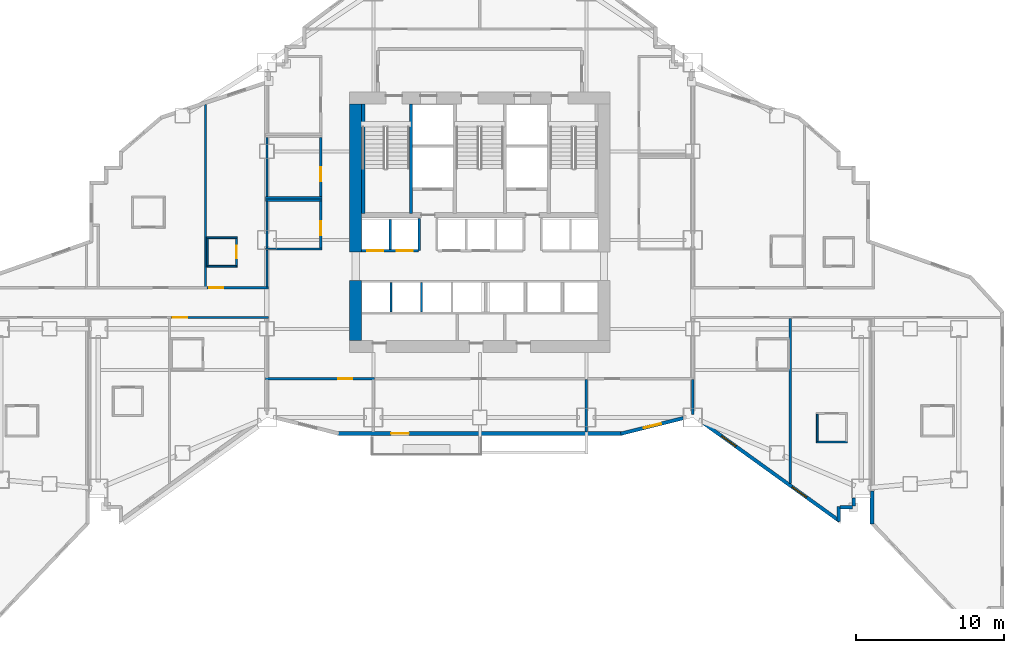
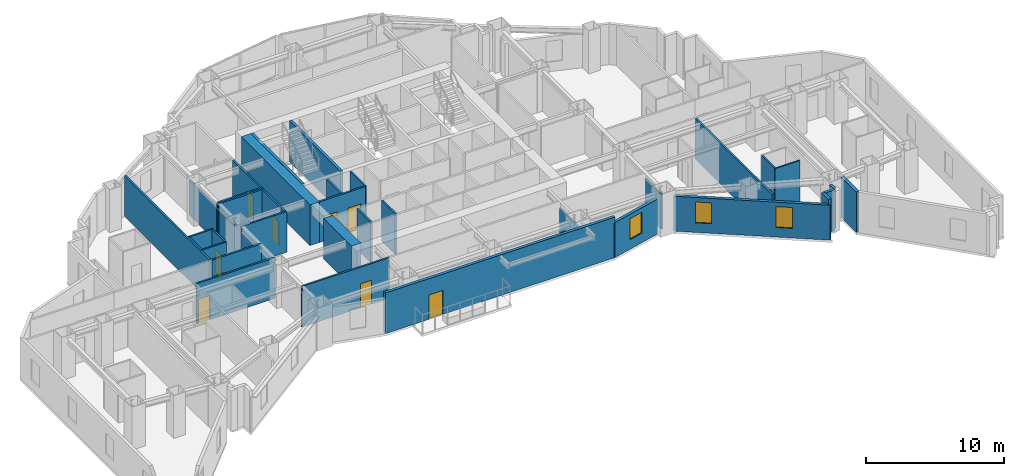
# One storey, part 8 of 17: 37 walls, 9 doors, 3 windows, 12 openings.
"""IFC4 building model written with IfcOpenShell, lengths in metres."""

from ifc_helpers import new_model, si_unit, direction, frame, frame_2d, origin, place, context, subcontext, project, spatial, rectangle, extrude, material, layer, layer_set, type_object, element, fill, save


model = new_model("IFC4")

# Units and contexts
model_context = context("Model", 3, precision=1e-05, world=origin(), true_north=direction((0.0, 1.0)))
body_context = subcontext(model_context, "Body", "Model", "MODEL_VIEW")
ifc_project = project(units=[si_unit("LENGTHUNIT", "METRE"), si_unit("AREAUNIT", "SQUARE_METRE"), si_unit("VOLUMEUNIT", "CUBIC_METRE"), si_unit("PLANEANGLEUNIT", "RADIAN"), si_unit("MASSUNIT", "GRAM", prefix="KILO")], contexts=[model_context])

# Site, building, storey
site_placement = place(None, origin())
site = spatial("IfcSite", under=ifc_project, at=site_placement, CompositionType="ELEMENT")
building_placement = place(site_placement, origin())
building = spatial("IfcBuilding", under=site, at=building_placement, Name="Haolan Belvedere Tower", CompositionType="ELEMENT")
storey_placement = place(building_placement, frame((0.0, 0.0, 31.60009765625)))
storey = spatial("IfcBuildingStorey", under=building, at=storey_placement, Name="L07", CompositionType="ELEMENT", Elevation=31.60009765625)

# Walls
ifc_material_1 = material(Name="Concrete C70/85", Category="concrete")
ifc_layer_1 = layer(ifc_material_1, 0.800048828125, Name="Concrete C70/85")
ifc_layer_set_1 = layer_set([ifc_layer_1], Name="Concrete C70/85")
wall_type_1 = type_object("IfcWallType", Name="WL-CORE-800", PredefinedType="SHEAR", material=ifc_layer_set_1)
wall_1_placement = place(storey_placement, frame((30.0, 26.800048828125, 0.0), z_axis=(0.0, 0.0, 1.0), x_axis=(0.0, 1.0, 0.0)))
element("IfcWall", 1, at=wall_1_placement, inside=storey, type_object=wall_type_1, Name="L07 central core shear wall WS", PredefinedType="SHEAR", context=body_context, shape_type="SweptSolid", body=[
    extrude(rectangle(XDim=4.050048828125, YDim=0.800048828125, at=frame_2d((2.02490234375, 0.0))), origin(), (0.0, 0.0, 1.0), 3.599853515625),
])
wall_2_placement = place(storey_placement, frame((30.0, 32.800048828125, 0.0), z_axis=(0.0, 0.0, 1.0), x_axis=(0.0, 1.0, 0.0)))
element("IfcWall", 2, at=wall_2_placement, inside=storey, type_object=wall_type_1, Name="L07 central core shear wall WN", PredefinedType="SHEAR", context=body_context, shape_type="SweptSolid", body=[
    extrude(rectangle(XDim=10.0, YDim=0.800048828125, at=frame_2d((5.0, 0.0))), origin(), (0.0, 0.0, 1.0), 3.599853515625),
])

# Wall, opening, door
ifc_material_2 = material(Name="Precast concrete C40/50", Category="concrete")
ifc_layer_2 = layer(ifc_material_2, 0.239990234375, Name="Precast concrete C40/50")
ifc_layer_set_2 = layer_set([ifc_layer_2], Name="Precast concrete C40/50")
wall_type_2 = type_object("IfcWallType", Name="WL-EXT-240", PredefinedType="SOLIDWALL", material=ifc_layer_set_2)
wall_3_placement = place(storey_placement, frame((28.759765625, 20.52001953125, 0.0), z_axis=(0.0, 0.0, 1.0), x_axis=(1.0, 0.0, 0.0)))
wall_3 = element("IfcWall", 3, at=wall_3_placement, inside=storey, type_object=wall_type_2, Name="L07 pale-metal exterior spandrel wall 13.1", PredefinedType="SOLIDWALL", context=body_context, shape_type="SweptSolid", body=[
    extrude(rectangle(XDim=19.280517578125, YDim=0.239990234375, at=frame_2d((9.64013671875, 0.0))), origin(), (0.0, 0.0, 1.0), 3.599853515625),
])
opening_1_placement = place(wall_3_placement, frame((4.840087890625, 0.0, 0.0), z_axis=(0.0, 0.0, 1.0), x_axis=(-1.0, 0.0, 0.0)))
opening_1 = element("IfcOpeningElement", 4, at=opening_1_placement, cuts=wall_3, Name="Opening BD-01", PredefinedType="OPENING", context=body_context, shape_type="SweptSolid", body=[
    extrude(rectangle(XDim=1.199951171875, YDim=2.14990234375, at=frame_2d((0.60009765625, 1.074951171875))), frame((0.0, 0.1298828125, 0.0), z_axis=(0.0, -1.0, 0.0), x_axis=(1.0, 0.0, 0.0)), (0.0, 0.0, 1.0), 0.260009765625),
])
ifc_material_3 = material(Name="Thermally broken pale-metal aluminium and Low-E glass", Category="aluminium")
door_type_1 = type_object("IfcDoorType", Name="DR-BAL-1200", OperationType="NOTDEFINED", PredefinedType="DOOR", material=ifc_material_3)
door_1_placement = place(opening_1_placement, origin())
door_1 = element("IfcDoor", 5, at=door_1_placement, inside=storey, type_object=door_type_1, Name="L07 tree-balcony access door 1", OperationType="SINGLE_SWING_LEFT", OverallHeight=2.14990234375, OverallWidth=1.199951171875, PredefinedType="DOOR", context=body_context, shape_type="SweptSolid", body=[
    extrude(rectangle(XDim=1.199951171875, YDim=2.14990234375, at=frame_2d((0.60009765625, 1.074951171875))), frame((0.0, 0.02490234375, 0.0), z_axis=(0.0, -1.0, 0.0), x_axis=(1.0, 0.0, 0.0)), (0.0, 0.0, 1.0), 0.050048828125),
])
fill(opening_1, door_1)

# Wall, opening, window
wall_4_placement = place(storey_placement, frame((47.931884765625, 20.506591796875, 0.0), z_axis=(0.0, 0.0, 1.0), x_axis=(0.970135906278, 0.242561998982, 0.0)))
wall_4 = element("IfcWall", 6, at=wall_4_placement, inside=storey, type_object=wall_type_2, Name="L07 pale-metal exterior spandrel wall 14.1", PredefinedType="SOLIDWALL", context=body_context, shape_type="SweptSolid", body=[
    extrude(rectangle(XDim=4.356201171875, YDim=0.239990234375, at=frame_2d((2.17822265625, 0.0))), origin(), (0.0, 0.0, 1.0), 3.096923828125),
])
opening_2_placement = place(wall_4_placement, frame((1.60009765625, 0.0, 0.85009765625)))
opening_2 = element("IfcOpeningElement", 7, at=opening_2_placement, cuts=wall_4, Name="Opening W-01", PredefinedType="OPENING", context=body_context, shape_type="SweptSolid", body=[
    extrude(rectangle(XDim=1.199951171875, YDim=1.85009765625, at=frame_2d((0.60009765625, 0.925048828125))), frame((0.0, 0.1298828125, 0.0), z_axis=(0.0, -1.0, 0.0), x_axis=(1.0, 0.0, 0.0)), (0.0, 0.0, 1.0), 0.260009765625),
])
ifc_material_4 = material(Name="Anodised aluminium 6063-T6 and Low-E glass", Category="aluminium")
window_type = type_object("IfcWindowType", Name="WN-DECO-Z1", PartitioningType="SINGLE_PANEL", PredefinedType="WINDOW", material=ifc_material_4)
window_1_placement = place(opening_2_placement, origin())
window_1 = element("IfcWindow", 8, at=window_1_placement, inside=storey, type_object=window_type, Name="L07 Art Deco chevron window 1", OverallHeight=1.85009765625, OverallWidth=1.199951171875, PartitioningType="SINGLE_PANEL", PredefinedType="WINDOW", context=body_context, shape_type="SweptSolid", body=[
    extrude(rectangle(XDim=1.199951171875, YDim=1.85009765625, at=frame_2d((0.60009765625, 0.925048828125))), frame((0.0, 0.030029296875, 0.0), z_axis=(0.0, -1.0, 0.0), x_axis=(1.0, 0.0, 0.0)), (0.0, 0.0, 1.0), 0.06005859375),
])
fill(opening_2, window_1)

# Wall, openings, windows
wall_5_placement = place(storey_placement, frame((53.44189453125, 21.28564453125, 0.0), z_axis=(0.0, 0.0, 1.0), x_axis=(0.811542842993, -0.584292917967, 0.0)))
wall_5 = element("IfcWall", 9, at=wall_5_placement, inside=storey, type_object=wall_type_2, Name="L07 pale-metal exterior spandrel wall 15.1", PredefinedType="SOLIDWALL", context=body_context, shape_type="SweptSolid", body=[
    extrude(rectangle(XDim=11.4384765625, YDim=0.239990234375, at=frame_2d((5.71923828125, 0.0))), origin(), (0.0, 0.0, 1.0), 3.096923828125),
])
opening_3_placement = place(wall_5_placement, frame((1.60009765625, 0.0, 0.85009765625)))
opening_3 = element("IfcOpeningElement", 10, at=opening_3_placement, cuts=wall_5, Name="Opening W-01", PredefinedType="OPENING", context=body_context, shape_type="SweptSolid", body=[
    extrude(rectangle(XDim=1.199951171875, YDim=1.85009765625, at=frame_2d((0.60009765625, 0.925048828125))), frame((0.0, 0.1298828125, 0.0), z_axis=(0.0, -1.0, 0.0), x_axis=(1.0, 0.0, 0.0)), (0.0, 0.0, 1.0), 0.260009765625),
])
opening_4_placement = place(wall_5_placement, frame((7.48876953125, 0.0, 0.85009765625)))
opening_4 = element("IfcOpeningElement", 11, at=opening_4_placement, cuts=wall_5, Name="Opening W-01", PredefinedType="OPENING", context=body_context, shape_type="SweptSolid", body=[
    extrude(rectangle(XDim=1.199951171875, YDim=1.85009765625, at=frame_2d((0.60009765625, 0.925048828125))), frame((0.0, 0.1298828125, 0.0), z_axis=(0.0, -1.0, 0.0), x_axis=(1.0, 0.0, 0.0)), (0.0, 0.0, 1.0), 0.260009765625),
])
window_2_placement = place(opening_3_placement, origin())
window_2 = element("IfcWindow", 12, at=window_2_placement, inside=storey, type_object=window_type, Name="L07 Art Deco chevron window 1", OverallHeight=1.85009765625, OverallWidth=1.199951171875, PartitioningType="SINGLE_PANEL", PredefinedType="WINDOW", context=body_context, shape_type="SweptSolid", body=[
    extrude(rectangle(XDim=1.199951171875, YDim=1.85009765625, at=frame_2d((0.60009765625, 0.925048828125))), frame((0.0, 0.030029296875, 0.0), z_axis=(0.0, -1.0, 0.0), x_axis=(1.0, 0.0, 0.0)), (0.0, 0.0, 1.0), 0.06005859375),
])
fill(opening_3, window_2)
window_3_placement = place(opening_4_placement, origin())
window_3 = element("IfcWindow", 13, at=window_3_placement, inside=storey, type_object=window_type, Name="L07 Art Deco chevron window 2", OverallHeight=1.85009765625, OverallWidth=1.199951171875, PartitioningType="SINGLE_PANEL", PredefinedType="WINDOW", context=body_context, shape_type="SweptSolid", body=[
    extrude(rectangle(XDim=1.199951171875, YDim=1.85009765625, at=frame_2d((0.60009765625, 0.925048828125))), frame((0.0, 0.030029296875, 0.0), z_axis=(0.0, -1.0, 0.0), x_axis=(1.0, 0.0, 0.0)), (0.0, 0.0, 1.0), 0.06005859375),
])
fill(opening_4, window_3)

# Walls
wall_6_placement = place(storey_placement, frame((62.679931640625, 14.579345703125, 0.0), z_axis=(0.0, 0.0, 1.0), x_axis=(0.0, 1.0, 0.0)))
element("IfcWall", 14, at=wall_6_placement, inside=storey, type_object=wall_type_2, Name="L07 pale-metal exterior spandrel wall 16.1", PredefinedType="SOLIDWALL", context=body_context, shape_type="SweptSolid", body=[
    extrude(rectangle(XDim=0.99560546875, YDim=0.239990234375, at=frame_2d((0.497802734375, 0.0))), origin(), (0.0, 0.0, 1.0), 3.599853515625),
])
wall_7_placement = place(storey_placement, frame((62.7451171875, 15.52001953125, 0.0), z_axis=(0.0, 0.0, 1.0), x_axis=(1.0, 0.0, 0.0)))
element("IfcWall", 15, at=wall_7_placement, inside=storey, type_object=wall_type_2, Name="L07 pale-metal exterior spandrel wall 17.1", PredefinedType="SOLIDWALL", context=body_context, shape_type="SweptSolid", body=[
    extrude(rectangle(XDim=0.849853515625, YDim=0.239990234375, at=frame_2d((0.4248046875, 0.0))), origin(), (0.0, 0.0, 1.0), 3.599853515625),
])
wall_8_placement = place(storey_placement, frame((63.679931640625, 15.60498046875, 0.0), z_axis=(0.0, 0.0, 1.0), x_axis=(0.0, 1.0, 0.0)))
element("IfcWall", 16, at=wall_8_placement, inside=storey, type_object=wall_type_2, Name="L07 pale-metal exterior spandrel wall 18.1", PredefinedType="SOLIDWALL", context=body_context, shape_type="SweptSolid", body=[
    extrude(rectangle(XDim=0.552978515625, YDim=0.239990234375, at=frame_2d((0.2763671875, 0.0))), origin(), (0.0, 0.0, 1.0), 3.599853515625),
])
wall_9_placement = place(storey_placement, frame((64.919921875, 16.639892578125, 0.0), z_axis=(0.0, 0.0, 1.0), x_axis=(0.0, -1.0, 0.0)))
element("IfcWall", 17, at=wall_9_placement, inside=storey, type_object=wall_type_2, Name="L07 pale-metal exterior spandrel wall 20.1", PredefinedType="SOLIDWALL", context=body_context, shape_type="SweptSolid", body=[
    extrude(rectangle(XDim=2.246826171875, YDim=0.239990234375, at=frame_2d((1.12353515625, 0.0))), origin(), (0.0, 0.0, 1.0), 3.599853515625),
])
ifc_material_5 = material(Name="Double gypsum acoustic stud partition", Category="masonry")
ifc_layer_3 = layer(ifc_material_5, 0.14990234375, Name="Double gypsum acoustic stud partition")
ifc_layer_set_3 = layer_set([ifc_layer_3], Name="Double gypsum acoustic stud partition")
wall_type_3 = type_object("IfcWallType", Name="WL-PART-150", PredefinedType="PARTITIONING", material=ifc_layer_set_3)
for number, where, z_axis, x_axis, name in (
    (18, (23.919921875, 36.300048828125, 0.0), (0.0, 0.0, 1.0), (1.0, 0.0, 0.0), "L07 interior partition IW-L07-AWC-N"),
    (19, (23.919921875, 33.0, 0.0), (0.0, 0.0, 1.0), (1.0, 0.0, 0.0), "L07 interior partition IW-L07-AWC-S"),
):
    element("IfcWall", number, at=place(storey_placement, frame(where, z_axis=z_axis, x_axis=x_axis)), inside=storey, type_object=wall_type_3, Name=name, PredefinedType="PARTITIONING", context=body_context, shape_type="SweptSolid", body=[
        extrude(rectangle(XDim=3.800048828125, YDim=0.14990234375, at=frame_2d((1.89990234375, 0.0))), origin(), (0.0, 0.0, 1.0), 3.599853515625),
    ])
wall_10_placement = place(storey_placement, frame((24.0, 33.06005859375, 0.0), z_axis=(0.0, 0.0, 1.0), x_axis=(0.0, 1.0, 0.0)))
element("IfcWall", 20, at=wall_10_placement, inside=storey, type_object=wall_type_3, Name="L07 interior partition IW-L07-AWC-W", PredefinedType="PARTITIONING", context=body_context, shape_type="SweptSolid", body=[
    extrude(rectangle(XDim=3.179931640625, YDim=0.14990234375, at=frame_2d((1.58984375, 0.0))), origin(), (0.0, 0.0, 1.0), 3.096923828125),
])

# Wall, opening, door
wall_11_placement = place(storey_placement, frame((27.639892578125, 33.06005859375, 0.0), z_axis=(0.0, 0.0, 1.0), x_axis=(0.0, 1.0, 0.0)))
wall_11 = element("IfcWall", 21, at=wall_11_placement, inside=storey, type_object=wall_type_3, Name="L07 interior partition IW-L07-AWC-E", PredefinedType="PARTITIONING", context=body_context, shape_type="SweptSolid", body=[
    extrude(rectangle(XDim=3.179931640625, YDim=0.14990234375, at=frame_2d((1.58984375, 0.0))), origin(), (0.0, 0.0, 1.0), 3.599853515625),
])
opening_5_placement = place(wall_11_placement, frame((1.81005859375, 0.0, 0.0), z_axis=(0.0, 0.0, 1.0), x_axis=(-1.0, 0.0, 0.0)))
opening_5 = element("IfcOpeningElement", 22, at=opening_5_placement, cuts=wall_11, Name="Opening ID-03", PredefinedType="OPENING", context=body_context, shape_type="SweptSolid", body=[
    extrude(rectangle(XDim=0.949951171875, YDim=2.1201171875, at=frame_2d((0.47509765625, 1.06005859375))), frame((0.0, 0.0849609375, 0.0), z_axis=(0.0, -1.0, 0.0), x_axis=(1.0, 0.0, 0.0)), (0.0, 0.0, 1.0), 0.169921875),
])
ifc_material_6 = material(Name="Painted solid-core timber", Category="wood")
door_type_2 = type_object("IfcDoorType", Name="DR-INT-950", OperationType="NOTDEFINED", PredefinedType="DOOR", material=ifc_material_6)
door_2_placement = place(opening_5_placement, origin())
door_2 = element("IfcDoor", 23, at=door_2_placement, inside=storey, type_object=door_type_2, Name="L07 door ID-L07-AWC", OperationType="SINGLE_SWING_LEFT", OverallHeight=2.1201171875, OverallWidth=0.949951171875, PredefinedType="DOOR", context=body_context, shape_type="SweptSolid", body=[
    extrude(rectangle(XDim=0.949951171875, YDim=2.1201171875, at=frame_2d((0.47509765625, 1.06005859375))), frame((0.0, 0.02490234375, 0.0), z_axis=(0.0, -1.0, 0.0), x_axis=(1.0, 0.0, 0.0)), (0.0, 0.0, 1.0), 0.050048828125),
])
fill(opening_5, door_2)

# Walls
wall_12_placement = place(storey_placement, frame((23.919921875, 36.4599609375, 0.0), z_axis=(0.0, 0.0, 1.0), x_axis=(1.0, 0.0, 0.0)))
element("IfcWall", 24, at=wall_12_placement, inside=storey, type_object=wall_type_3, Name="L07 interior partition IW-L07-PNT-S", PredefinedType="PARTITIONING", context=body_context, shape_type="SweptSolid", body=[
    extrude(rectangle(XDim=3.800048828125, YDim=0.14990234375, at=frame_2d((1.89990234375, 0.0))), origin(), (0.0, 0.0, 1.0), 3.599853515625),
])
wall_13_placement = place(storey_placement, frame((24.0, 36.52001953125, 0.0), z_axis=(0.0, 0.0, 1.0), x_axis=(0.0, 1.0, 0.0)))
element("IfcWall", 25, at=wall_13_placement, inside=storey, type_object=wall_type_3, Name="L07 interior partition IW-L07-PNT-W", PredefinedType="PARTITIONING", context=body_context, shape_type="SweptSolid", body=[
    extrude(rectangle(XDim=4.02001953125, YDim=0.14990234375, at=frame_2d((2.010009765625, 0.0))), origin(), (0.0, 0.0, 1.0), 3.096923828125),
])

# Wall, opening, door
wall_14_placement = place(storey_placement, frame((27.639892578125, 36.52001953125, 0.0), z_axis=(0.0, 0.0, 1.0), x_axis=(0.0, 1.0, 0.0)))
wall_14 = element("IfcWall", 26, at=wall_14_placement, inside=storey, type_object=wall_type_3, Name="L07 interior partition IW-L07-PNT-E", PredefinedType="PARTITIONING", context=body_context, shape_type="SweptSolid", body=[
    extrude(rectangle(XDim=4.02001953125, YDim=0.14990234375, at=frame_2d((2.010009765625, 0.0))), origin(), (0.0, 0.0, 1.0), 3.599853515625),
])
opening_6_placement = place(wall_14_placement, frame((2.010009765625, 0.0, 0.0), z_axis=(0.0, 0.0, 1.0), x_axis=(-1.0, 0.0, 0.0)))
opening_6 = element("IfcOpeningElement", 27, at=opening_6_placement, cuts=wall_14, Name="Opening ID-03", PredefinedType="OPENING", context=body_context, shape_type="SweptSolid", body=[
    extrude(rectangle(XDim=0.949951171875, YDim=2.1201171875, at=frame_2d((0.47509765625, 1.06005859375))), frame((0.0, 0.0849609375, 0.0), z_axis=(0.0, -1.0, 0.0), x_axis=(1.0, 0.0, 0.0)), (0.0, 0.0, 1.0), 0.169921875),
])
door_3_placement = place(opening_6_placement, origin())
door_3 = element("IfcDoor", 28, at=door_3_placement, inside=storey, type_object=door_type_2, Name="L07 door ID-L07-PNT", OperationType="SINGLE_SWING_RIGHT", OverallHeight=2.1201171875, OverallWidth=0.949951171875, PredefinedType="DOOR", context=body_context, shape_type="SweptSolid", body=[
    extrude(rectangle(XDim=0.949951171875, YDim=2.1201171875, at=frame_2d((0.47509765625, 1.06005859375))), frame((0.0, 0.02490234375, 0.0), z_axis=(0.0, -1.0, 0.0), x_axis=(1.0, 0.0, 0.0)), (0.0, 0.0, 1.0), 0.050048828125),
])
fill(opening_6, door_3)

wall_15_placement = place(storey_placement, frame((23.919921875, 24.219970703125, 0.0), z_axis=(0.0, 0.0, 1.0), x_axis=(1.0, 0.0, 0.0)))
wall_15 = element("IfcWall", 29, at=wall_15_placement, inside=storey, type_object=wall_type_3, Name="L07 interior partition IW-L07-KS1-N", PredefinedType="PARTITIONING", context=body_context, shape_type="SweptSolid", body=[
    extrude(rectangle(XDim=7.360107421875, YDim=0.14990234375, at=frame_2d((3.68017578125, 0.0))), origin(), (0.0, 0.0, 1.0), 3.599853515625),
])
opening_7_placement = place(wall_15_placement, frame((5.844970703125, 0.0, 0.0), z_axis=(0.0, 0.0, 1.0), x_axis=(-1.0, 0.0, 0.0)))
opening_7 = element("IfcOpeningElement", 30, at=opening_7_placement, cuts=wall_15, Name="Opening ID-03", PredefinedType="OPENING", context=body_context, shape_type="SweptSolid", body=[
    extrude(rectangle(XDim=0.949951171875, YDim=2.1201171875, at=frame_2d((0.47509765625, 1.06005859375))), frame((0.0, 0.0849609375, 0.0), z_axis=(0.0, -1.0, 0.0), x_axis=(1.0, 0.0, 0.0)), (0.0, 0.0, 1.0), 0.169921875),
])
door_4_placement = place(opening_7_placement, origin())
door_4 = element("IfcDoor", 31, at=door_4_placement, inside=storey, type_object=door_type_2, Name="L07 door ID-L07-KS1", OperationType="SINGLE_SWING_LEFT", OverallHeight=2.1201171875, OverallWidth=0.949951171875, PredefinedType="DOOR", context=body_context, shape_type="SweptSolid", body=[
    extrude(rectangle(XDim=0.949951171875, YDim=2.1201171875, at=frame_2d((0.47509765625, 1.06005859375))), frame((0.0, 0.02490234375, 0.0), z_axis=(0.0, -1.0, 0.0), x_axis=(1.0, 0.0, 0.0)), (0.0, 0.0, 1.0), 0.050048828125),
])
fill(opening_7, door_4)

# Walls
wall_16_placement = place(storey_placement, frame((45.60009765625, 20.625, 0.0), z_axis=(0.0, 0.0, 1.0), x_axis=(0.0, 1.0, 0.0)))
element("IfcWall", 32, at=wall_16_placement, inside=storey, type_object=wall_type_3, Name="L07 interior partition IW-L07-KS2-E", PredefinedType="PARTITIONING", context=body_context, shape_type="SweptSolid", body=[
    extrude(rectangle(XDim=3.534912109375, YDim=0.14990234375, at=frame_2d((1.767578125, 0.0))), origin(), (0.0, 0.0, 1.0), 2.98486328125),
])
wall_17_placement = place(storey_placement, frame((52.800048828125, 21.818603515625, 0.0), z_axis=(0.0, 0.0, 1.0), x_axis=(0.0, 1.0, 0.0)))
element("IfcWall", 33, at=wall_17_placement, inside=storey, type_object=wall_type_3, Name="L07 interior partition IW-L07-KS3-E", PredefinedType="PARTITIONING", context=body_context, shape_type="SweptSolid", body=[
    extrude(rectangle(XDim=2.34130859375, YDim=0.14990234375, at=frame_2d((1.170654296875, 0.0))), origin(), (0.0, 0.0, 1.0), 3.096923828125),
])
wall_18_placement = place(storey_placement, frame((19.85009765625, 30.43994140625, 0.0), z_axis=(0.0, 0.0, 1.0), x_axis=(0.0, 1.0, 0.0)))
element("IfcWall", 34, at=wall_18_placement, inside=storey, type_object=wall_type_3, Name="L07 interior partition IW-L07-T2N1-E", PredefinedType="PARTITIONING", context=body_context, shape_type="SweptSolid", body=[
    extrude(rectangle(XDim=12.339599609375, YDim=0.14990234375, at=frame_2d((6.169921875, 0.0))), origin(), (0.0, 0.0, 1.0), 3.599853515625),
])

# Wall, opening, door
wall_19_placement = place(storey_placement, frame((19.951904296875, 30.3798828125, 0.0), z_axis=(0.0, 0.0, 1.0), x_axis=(1.0, 0.0, 0.0)))
wall_19 = element("IfcWall", 35, at=wall_19_placement, inside=storey, type_object=wall_type_3, Name="L07 interior partition IW-L07-T2N2-S", PredefinedType="PARTITIONING", context=body_context, shape_type="SweptSolid", body=[
    extrude(rectangle(XDim=4.148193359375, YDim=0.14990234375, at=frame_2d((2.07421875, 0.0))), origin(), (0.0, 0.0, 1.0), 3.599853515625),
])
opening_8_placement = place(wall_19_placement, frame((0.139892578125, 0.0, 0.0)))
opening_8 = element("IfcOpeningElement", 36, at=opening_8_placement, cuts=wall_19, Name="Opening ID-02", PredefinedType="OPENING", context=body_context, shape_type="SweptSolid", body=[
    extrude(rectangle(XDim=0.949951171875, YDim=2.14990234375, at=frame_2d((0.47509765625, 1.074951171875))), frame((0.0, 0.0849609375, 0.0), z_axis=(0.0, -1.0, 0.0), x_axis=(1.0, 0.0, 0.0)), (0.0, 0.0, 1.0), 0.169921875),
])
ifc_material_7 = material(Name="Acoustic oak veneer fire-rated timber", Category="wood")
door_type_3 = type_object("IfcDoorType", Name="DR-GUEST-950", OperationType="NOTDEFINED", PredefinedType="DOOR", material=ifc_material_7)
door_5_placement = place(opening_8_placement, origin())
door_5 = element("IfcDoor", 37, at=door_5_placement, inside=storey, type_object=door_type_3, Name="L07 door ID-L07-T2N2-ENT", OperationType="SINGLE_SWING_LEFT", OverallHeight=2.14990234375, OverallWidth=0.949951171875, PredefinedType="DOOR", context=body_context, shape_type="SweptSolid", body=[
    extrude(rectangle(XDim=0.949951171875, YDim=2.14990234375, at=frame_2d((0.47509765625, 1.074951171875))), frame((0.0, 0.02490234375, 0.0), z_axis=(0.0, -1.0, 0.0), x_axis=(1.0, 0.0, 0.0)), (0.0, 0.0, 1.0), 0.050048828125),
])
fill(opening_8, door_5)

# Wall
wall_20_placement = place(storey_placement, frame((24.0, 30.43994140625, 0.0), z_axis=(0.0, 0.0, 1.0), x_axis=(0.0, 1.0, 0.0)))
element("IfcWall", 38, at=wall_20_placement, inside=storey, type_object=wall_type_3, Name="L07 interior partition IW-L07-T2N2-E", PredefinedType="PARTITIONING", context=body_context, shape_type="SweptSolid", body=[
    extrude(rectangle(XDim=2.5, YDim=0.14990234375, at=frame_2d((1.25, 0.0))), origin(), (0.0, 0.0, 1.0), 3.096923828125),
])

# Wall, opening, door
wall_21_placement = place(storey_placement, frame((17.511962890625, 28.3701171875, 0.0), z_axis=(0.0, 0.0, 1.0), x_axis=(1.0, 0.0, 0.0)))
wall_21 = element("IfcWall", 39, at=wall_21_placement, inside=storey, type_object=wall_type_3, Name="L07 interior partition IW-L07-T2S2-N", PredefinedType="PARTITIONING", context=body_context, shape_type="SweptSolid", body=[
    extrude(rectangle(XDim=6.588134765625, YDim=0.14990234375, at=frame_2d((3.2939453125, 0.0))), origin(), (0.0, 0.0, 1.0), 3.599853515625),
])
opening_9_placement = place(wall_21_placement, frame((1.08984375, 0.0, 0.0), z_axis=(0.0, 0.0, 1.0), x_axis=(-1.0, 0.0, 0.0)))
opening_9 = element("IfcOpeningElement", 40, at=opening_9_placement, cuts=wall_21, Name="Opening ID-01", PredefinedType="OPENING", context=body_context, shape_type="SweptSolid", body=[
    extrude(rectangle(XDim=0.949951171875, YDim=2.179931640625, at=frame_2d((0.47509765625, 1.08984375))), frame((0.0, 0.0849609375, 0.0), z_axis=(0.0, -1.0, 0.0), x_axis=(1.0, 0.0, 0.0)), (0.0, 0.0, 1.0), 0.169921875),
])
ifc_material_8 = material(Name="Acoustic walnut veneer fire-rated timber", Category="wood")
door_type_4 = type_object("IfcDoorType", Name="DR-SUITE-950", OperationType="NOTDEFINED", PredefinedType="DOOR", material=ifc_material_8)
door_6_placement = place(opening_9_placement, origin())
door_6 = element("IfcDoor", 41, at=door_6_placement, inside=storey, type_object=door_type_4, Name="L07 door ID-L07-T2S2-ENT", OperationType="SINGLE_SWING_LEFT", OverallHeight=2.179931640625, OverallWidth=0.949951171875, PredefinedType="DOOR", context=body_context, shape_type="SweptSolid", body=[
    extrude(rectangle(XDim=0.949951171875, YDim=2.179931640625, at=frame_2d((0.47509765625, 1.08984375))), frame((0.0, 0.02490234375, 0.0), z_axis=(0.0, -1.0, 0.0), x_axis=(1.0, 0.0, 0.0)), (0.0, 0.0, 1.0), 0.050048828125),
])
fill(opening_9, door_6)

# Walls
wall_22_placement = place(storey_placement, frame((59.389892578125, 17.132568359375, 0.0), z_axis=(0.0, 0.0, 1.0), x_axis=(0.0, 1.0, 0.0)))
element("IfcWall", 42, at=wall_22_placement, inside=storey, type_object=wall_type_3, Name="L07 interior partition IW-L07-T4S1-E", PredefinedType="PARTITIONING", context=body_context, shape_type="SweptSolid", body=[
    extrude(rectangle(XDim=11.177490234375, YDim=0.14990234375, at=frame_2d((5.5888671875, 0.0))), origin(), (0.0, 0.0, 1.0), 3.599853515625),
])
ifc_material_9 = material(Name="Gypsum fire shaftwall assembly", Category="masonry")
ifc_layer_4 = layer(ifc_material_9, 0.1650390625, Name="Gypsum fire shaftwall assembly")
ifc_layer_set_4 = layer_set([ifc_layer_4], Name="Gypsum fire shaftwall assembly")
wall_type_4 = type_object("IfcWallType", Name="WL-SHAFT-160", PredefinedType="SOLIDWALL", material=ifc_layer_set_4)
wall_23_placement = place(storey_placement, frame((34.31005859375, 32.8798828125, 0.0), z_axis=(0.0, 0.0, 1.0), x_axis=(0.0, 1.0, 0.0)))
element("IfcWall", 43, at=wall_23_placement, inside=storey, type_object=wall_type_4, Name="L07 interior partition IW-L07-SVP-W-SV1", PredefinedType="SOLIDWALL", context=body_context, shape_type="SweptSolid", body=[
    extrude(rectangle(XDim=2.170166015625, YDim=0.14990234375, at=frame_2d((1.0849609375, 0.0))), origin(), (0.0, 0.0, 1.0), 3.599853515625),
])

# Wall, openings, doors
wall_24_placement = place(storey_placement, frame((30.39990234375, 32.8798828125, 0.0), z_axis=(0.0, 0.0, 1.0), x_axis=(1.0, 0.0, 0.0)))
wall_24 = element("IfcWall", 44, at=wall_24_placement, inside=storey, type_object=wall_type_4, Name="L07 interior partition IW-L07-ROW-PN1", PredefinedType="SOLIDWALL", context=body_context, shape_type="SweptSolid", body=[
    extrude(rectangle(XDim=3.85009765625, YDim=0.159912109375, at=frame_2d((1.925048828125, 0.0))), origin(), (0.0, 0.0, 1.0), 3.599853515625),
])
opening_10_placement = place(wall_24_placement, frame((1.47998046875, 0.0, 0.0), z_axis=(0.0, 0.0, 1.0), x_axis=(-1.0, 0.0, 0.0)))
opening_10 = element("IfcOpeningElement", 45, at=opening_10_placement, cuts=wall_24, Name="Opening LD-01", PredefinedType="OPENING", context=body_context, shape_type="SweptSolid", body=[
    extrude(rectangle(XDim=1.10009765625, YDim=2.199951171875, at=frame_2d((0.550048828125, 1.10009765625))), frame((0.0, 0.08984375, 0.0), z_axis=(0.0, -1.0, 0.0), x_axis=(1.0, 0.0, 0.0)), (0.0, 0.0, 1.0), 0.179931640625),
])
opening_11_placement = place(wall_24_placement, frame((3.47021484375, 0.0, 0.0), z_axis=(0.0, 0.0, 1.0), x_axis=(-1.0, 0.0, 0.0)))
opening_11 = element("IfcOpeningElement", 46, at=opening_11_placement, cuts=wall_24, Name="Opening LD-01", PredefinedType="OPENING", context=body_context, shape_type="SweptSolid", body=[
    extrude(rectangle(XDim=1.10009765625, YDim=2.199951171875, at=frame_2d((0.550048828125, 1.10009765625))), frame((0.0, 0.08984375, 0.0), z_axis=(0.0, -1.0, 0.0), x_axis=(1.0, 0.0, 0.0)), (0.0, 0.0, 1.0), 0.179931640625),
])
ifc_material_10 = material(Name="Brushed champagne stainless steel 316L", Category="steel")
door_type_5 = type_object("IfcDoorType", Name="DR-LIFT-1100", OperationType="SLIDING_TO_LEFT", PredefinedType="DOOR", material=ifc_material_10)
door_7_placement = place(opening_10_placement, origin())
door_7 = element("IfcDoor", 47, at=door_7_placement, inside=storey, type_object=door_type_5, Name="L07 door ID-L07-LD-PL1", OperationType="SLIDING_TO_LEFT", OverallHeight=2.199951171875, OverallWidth=1.10009765625, PredefinedType="DOOR", context=body_context, shape_type="SweptSolid", body=[
    extrude(rectangle(XDim=1.10009765625, YDim=2.199951171875, at=frame_2d((0.550048828125, 1.10009765625))), frame((0.0, 0.02490234375, 0.0), z_axis=(0.0, -1.0, 0.0), x_axis=(1.0, 0.0, 0.0)), (0.0, 0.0, 1.0), 0.050048828125),
])
fill(opening_10, door_7)
door_8_placement = place(opening_11_placement, origin())
door_8 = element("IfcDoor", 48, at=door_8_placement, inside=storey, type_object=door_type_5, Name="L07 door ID-L07-LD-PL2", OperationType="SLIDING_TO_LEFT", OverallHeight=2.199951171875, OverallWidth=1.10009765625, PredefinedType="DOOR", context=body_context, shape_type="SweptSolid", body=[
    extrude(rectangle(XDim=1.10009765625, YDim=2.199951171875, at=frame_2d((0.550048828125, 1.10009765625))), frame((0.0, 0.02490234375, 0.0), z_axis=(0.0, -1.0, 0.0), x_axis=(1.0, 0.0, 0.0)), (0.0, 0.0, 1.0), 0.050048828125),
])
fill(opening_11, door_8)

# Walls
wall_25_placement = place(storey_placement, frame((32.340087890625, 32.949951171875, 0.0), z_axis=(0.0, 0.0, 1.0), x_axis=(0.0, 1.0, 0.0)))
element("IfcWall", 49, at=wall_25_placement, inside=storey, type_object=wall_type_4, Name="L07 interior partition IW-L07-DIV-PL1", PredefinedType="SOLIDWALL", context=body_context, shape_type="SweptSolid", body=[
    extrude(rectangle(XDim=2.050048828125, YDim=0.14990234375, at=frame_2d((1.02490234375, 0.0))), origin(), (0.0, 0.0, 1.0), 3.599853515625),
])
for number, where, z_axis, x_axis, name in (
    (50, (32.39990234375, 28.735107421875, 0.0), (0.0, 0.0, 1.0), (0.0, 1.0, 0.0), "L07 interior partition IW-L07-DIV-PM1"),
    (51, (34.4599609375, 28.735107421875, 0.0), (0.0, 0.0, 1.0), (0.0, 1.0, 0.0), "L07 interior partition IW-L07-DIV-PM2"),
):
    element("IfcWall", number, at=place(storey_placement, frame(where, z_axis=z_axis, x_axis=x_axis)), inside=storey, type_object=wall_type_4, Name=name, PredefinedType="SOLIDWALL", context=body_context, shape_type="SweptSolid", body=[
        extrude(rectangle(XDim=1.98486328125, YDim=0.14990234375, at=frame_2d((0.992431640625, 0.0))), origin(), (0.0, 0.0, 1.0), 3.599853515625),
    ])
ifc_material_11 = material(Name="Concrete C50/60", Category="concrete")
ifc_layer_5 = layer(ifc_material_11, 0.219970703125, Name="Concrete C50/60")
ifc_layer_set_5 = layer_set([ifc_layer_5], Name="Concrete C50/60")
wall_type_5 = type_object("IfcWallType", Name="WL-STAIR-220", PredefinedType="SHEAR", material=ifc_layer_set_5)
for number, where, z_axis, x_axis, name in (
    (52, (30.511962890625, 35.389892578125, 0.0), (0.0, 0.0, 1.0), (0.0, 1.0, 0.0), "L07 structural stair core wall ST1W"),
    (53, (33.739990234375, 35.389892578125, 0.0), (0.0, 0.0, 1.0), (0.0, 1.0, 0.0), "L07 structural stair core wall ST1E"),
):
    element("IfcWall", number, at=place(storey_placement, frame(where, z_axis=z_axis, x_axis=x_axis)), inside=storey, type_object=wall_type_5, Name=name, PredefinedType="SHEAR", context=body_context, shape_type="SweptSolid", body=[
        extrude(rectangle(XDim=7.41015625, YDim=0.219970703125, at=frame_2d((3.705078125, 0.0))), origin(), (0.0, 0.0, 1.0), 3.599853515625),
    ])
ifc_material_12 = material(Name="Moisture-resistant gypsum tile partition", Category="masonry")
ifc_layer_6 = layer(ifc_material_12, 0.1201171875, Name="Moisture-resistant gypsum tile partition")
ifc_layer_set_6 = layer_set([ifc_layer_6], Name="Moisture-resistant gypsum tile partition")
wall_type_6 = type_object("IfcWallType", Name="WL-WET-120", PredefinedType="PARTITIONING", material=ifc_layer_set_6)
for number, where, z_axis, x_axis, name in (
    (54, (19.909912109375, 33.75, 0.0), (0.0, 0.0, 1.0), (1.0, 0.0, 0.0), "L07 interior partition IW-L07-T2N2-BN"),
    (55, (19.909912109375, 31.830078125, 0.0), (0.0, 0.0, 1.0), (1.0, 0.0, 0.0), "L07 interior partition IW-L07-T2N2-BS"),
):
    element("IfcWall", number, at=place(storey_placement, frame(where, z_axis=z_axis, x_axis=x_axis)), inside=storey, type_object=wall_type_6, Name=name, PredefinedType="PARTITIONING", context=body_context, shape_type="SweptSolid", body=[
        extrude(rectangle(XDim=2.09423828125, YDim=0.1201171875, at=frame_2d((1.047119140625, 0.0))), origin(), (0.0, 0.0, 1.0), 3.599853515625),
    ])
wall_26_placement = place(storey_placement, frame((19.964111328125, 31.875, 0.0), z_axis=(0.0, 0.0, 1.0), x_axis=(0.0, 1.0, 0.0)))
element("IfcWall", 56, at=wall_26_placement, inside=storey, type_object=wall_type_6, Name="L07 interior partition IW-L07-T2N2-BW", PredefinedType="PARTITIONING", context=body_context, shape_type="SweptSolid", body=[
    extrude(rectangle(XDim=1.830078125, YDim=0.1201171875, at=frame_2d((0.9150390625, 0.0))), origin(), (0.0, 0.0, 1.0), 3.599853515625),
])

# Wall, opening, door
wall_27_placement = place(storey_placement, frame((21.944091796875, 31.875, 0.0), z_axis=(0.0, 0.0, 1.0), x_axis=(0.0, 1.0, 0.0)))
wall_27 = element("IfcWall", 57, at=wall_27_placement, inside=storey, type_object=wall_type_6, Name="L07 interior partition IW-L07-T2N2-BE", PredefinedType="PARTITIONING", context=body_context, shape_type="SweptSolid", body=[
    extrude(rectangle(XDim=1.830078125, YDim=0.1201171875, at=frame_2d((0.9150390625, 0.0))), origin(), (0.0, 0.0, 1.0), 3.599853515625),
])
opening_12_placement = place(wall_27_placement, frame((0.489990234375, 0.0, 0.0)))
opening_12 = element("IfcOpeningElement", 58, at=opening_12_placement, cuts=wall_27, Name="Opening ID-05", PredefinedType="OPENING", context=body_context, shape_type="SweptSolid", body=[
    extrude(rectangle(XDim=0.85009765625, YDim=2.10009765625, at=frame_2d((0.425048828125, 1.050048828125))), frame((0.0, 0.070068359375, 0.0), z_axis=(0.0, -1.0, 0.0), x_axis=(1.0, 0.0, 0.0)), (0.0, 0.0, 1.0), 0.14013671875),
])
ifc_material_13 = material(Name="Moisture-resistant lacquered timber", Category="wood")
door_type_6 = type_object("IfcDoorType", Name="DR-BATH-850", OperationType="NOTDEFINED", PredefinedType="DOOR", material=ifc_material_13)
door_9_placement = place(opening_12_placement, origin())
door_9 = element("IfcDoor", 59, at=door_9_placement, inside=storey, type_object=door_type_6, Name="L07 door ID-L07-T2N2-BATH", OperationType="SINGLE_SWING_RIGHT", OverallHeight=2.10009765625, OverallWidth=0.85009765625, PredefinedType="DOOR", context=body_context, shape_type="SweptSolid", body=[
    extrude(rectangle(XDim=0.85009765625, YDim=2.10009765625, at=frame_2d((0.425048828125, 1.050048828125))), frame((0.0, 0.02490234375, 0.0), z_axis=(0.0, -1.0, 0.0), x_axis=(1.0, 0.0, 0.0)), (0.0, 0.0, 1.0), 0.050048828125),
])
fill(opening_12, door_9)

# Walls
wall_28_placement = place(storey_placement, frame((61.152099609375, 19.947998046875, 0.0), z_axis=(0.0, 0.0, 1.0), x_axis=(1.0, 0.0, 0.0)))
element("IfcWall", 60, at=wall_28_placement, inside=storey, type_object=wall_type_6, Name="L07 interior partition IW-L07-T4S2-BS", PredefinedType="PARTITIONING", context=body_context, shape_type="SweptSolid", body=[
    extrude(rectangle(XDim=2.099853515625, YDim=0.1201171875, at=frame_2d((1.0498046875, 0.0))), origin(), (0.0, 0.0, 1.0), 3.599853515625),
])
wall_29_placement = place(storey_placement, frame((61.2119140625, 19.992919921875, 0.0), z_axis=(0.0, 0.0, 1.0), x_axis=(0.0, 1.0, 0.0)))
element("IfcWall", 61, at=wall_29_placement, inside=storey, type_object=wall_type_6, Name="L07 interior partition IW-L07-T4S2-BW", PredefinedType="PARTITIONING", context=body_context, shape_type="SweptSolid", body=[
    extrude(rectangle(XDim=1.830078125, YDim=0.1201171875, at=frame_2d((0.9150390625, 0.0))), origin(), (0.0, 0.0, 1.0), 3.599853515625),
])

save(model, "model.ifc")
